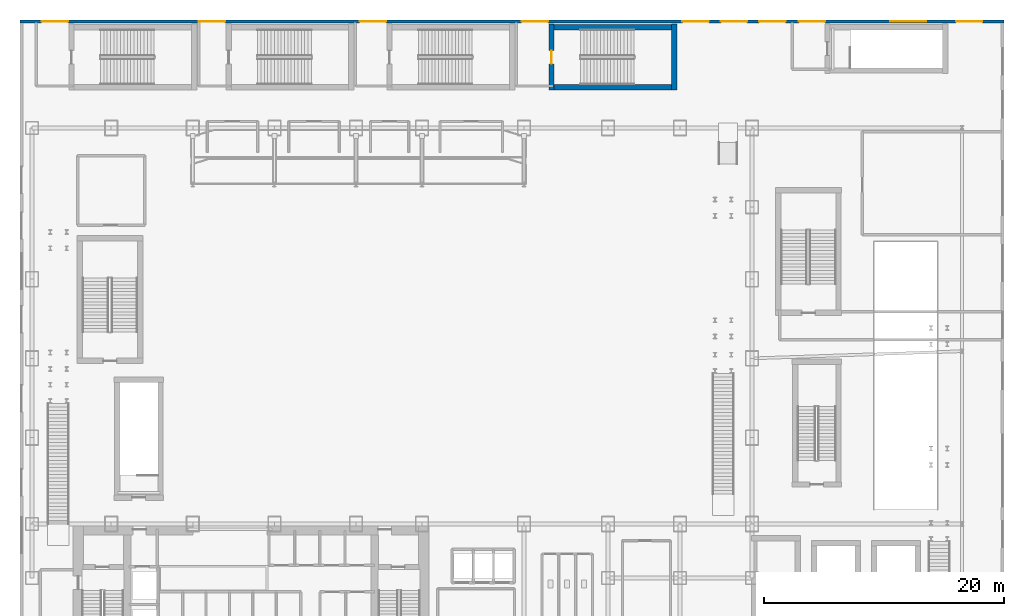
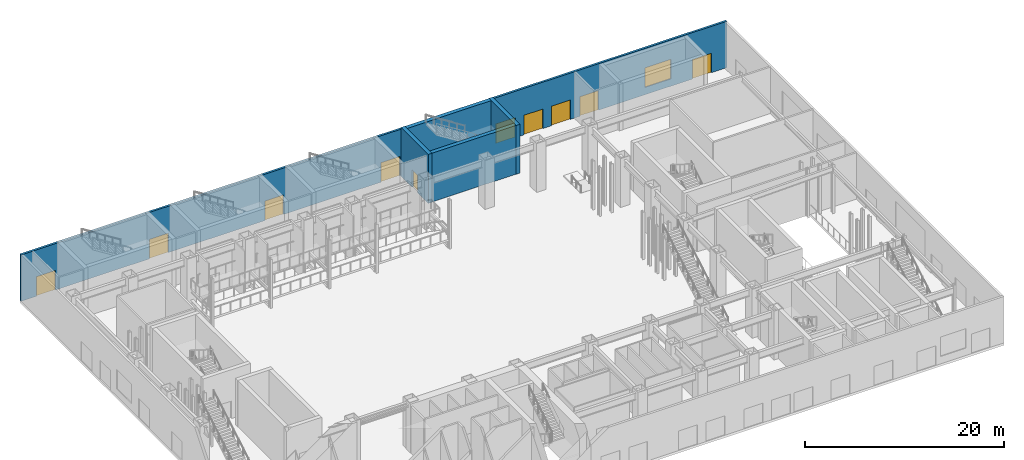
# One storey, part 14 of 25: 10 doors, 5 walls, 1 window, 11 openings.
"""IFC4 building model written with IfcOpenShell, lengths in metres."""

import ifcopenshell
import ifcopenshell.guid

model = None  # the IFC model being written
_history = None  # IfcOwnerHistory: only IFC2X3 demands one
_inside = {}  # id of a spatial element -> (the spatial element, [elements in it])
_under = {}  # id of a project, library or spatial element -> (it, [spatial elements below it])
_declared = {}  # id of a project -> (the project, [libraries it declares])
_typed = {}  # id of a type object -> (the type object, [elements of that type])
_made_of = {}  # id of a material, layer set ... -> (it, [elements and type objects made of it])


def new_model(schema):
    """Start an empty IFC model of exactly this schema.

    Asked for "IFC4X3", IfcOpenShell would pick the latest addendum, in which some entities
    have other attributes; the version numbers below select the first issue.
    IFC2X3 requires an IfcOwnerHistory on every rooted entity: one is made here for all.
    """
    global model, _history
    if schema == "IFC4X3":
        model = ifcopenshell.file(schema_version=(4, 3, 0, 0))
    else:
        model = ifcopenshell.file(schema=schema)
    _inside.clear()
    _under.clear()
    _declared.clear()
    _typed.clear()
    _made_of.clear()
    _history = None
    if model.schema == "IFC2X3":
        org = make("IfcOrganization", Name="unknown")
        user = make(
            "IfcPersonAndOrganization",
            ThePerson=make("IfcPerson", FamilyName="unknown"),
            TheOrganization=org,
        )
        app = make(
            "IfcApplication",
            ApplicationDeveloper=org,
            Version="unknown",
            ApplicationFullName="unknown",
            ApplicationIdentifier="unknown",
        )
        _history = make(
            "IfcOwnerHistory",
            OwningUser=user,
            OwningApplication=app,
            ChangeAction="ADDED",
            CreationDate=0,
        )
    return model


def make(cls, **values):
    """One entity of the class cls with the attributes given. An attribute that is None is left unset."""
    return model.create_entity(
        cls, **{name: value for name, value in values.items() if value is not None}
    )


def rooted(cls, **values):
    """An entity with a GlobalId (a new one), such as an element, a storey or a relation."""
    return make(cls, GlobalId=ifcopenshell.guid.new(), OwnerHistory=_history, **values)


def si_unit(unit_type, name, prefix=None):
    """IfcSIUnit, for example si_unit("LENGTHUNIT", "METRE", prefix="MILLI")."""
    return make("IfcSIUnit", UnitType=unit_type, Prefix=prefix, Name=name)


def derived_unit(unit_type, elements):
    """IfcDerivedUnit: a product of units, each with its exponent."""
    return make(
        "IfcDerivedUnit",
        Elements=[
            make("IfcDerivedUnitElement", Unit=unit, Exponent=power)
            for unit, power in elements
        ],
        UnitType=unit_type,
    )


def assignment(units):
    """IfcUnitAssignment: the units of a project."""
    return None if units is None else make("IfcUnitAssignment", Units=units)


def point(xyz):
    """IfcCartesianPoint."""
    return None if xyz is None else make("IfcCartesianPoint", Coordinates=xyz)


def direction(xyz):
    """IfcDirection."""
    return None if xyz is None else make("IfcDirection", DirectionRatios=xyz)


def frame(location, z_axis=None, x_axis=None):
    """IfcAxis2Placement3D, a coordinate frame: its origin and axes. An axis left out is left unset."""
    return make(
        "IfcAxis2Placement3D",
        Location=point(location),
        Axis=direction(z_axis),
        RefDirection=direction(x_axis),
    )


def frame_2d(location, x_axis=None):
    """IfcAxis2Placement2D, a coordinate frame in the plane: its origin and x axis."""
    return make(
        "IfcAxis2Placement2D", Location=point(location), RefDirection=direction(x_axis)
    )


def origin():
    """The frame at (0, 0, 0) with its axes left unset."""
    return frame((0.0, 0.0, 0.0))


def place(relative_to, where):
    """IfcLocalPlacement: puts the frame where relative to a parent placement (None: the world)."""
    return make(
        "IfcLocalPlacement", PlacementRelTo=relative_to, RelativePlacement=where
    )


def context(
    kind, dimensions, precision=None, world=None, true_north=None, identifier=None
):
    """IfcGeometricRepresentationContext, for example the 3D "Model" context."""
    return make(
        "IfcGeometricRepresentationContext",
        ContextIdentifier=identifier,
        ContextType=kind,
        CoordinateSpaceDimension=dimensions,
        Precision=precision,
        WorldCoordinateSystem=world,
        TrueNorth=true_north,
    )


def subcontext(parent, identifier, kind, view, scale=None):
    """IfcGeometricRepresentationSubContext, for example "Body" below "Model"."""
    return make(
        "IfcGeometricRepresentationSubContext",
        ContextIdentifier=identifier,
        ContextType=kind,
        ParentContext=parent,
        TargetScale=scale,
        TargetView=view,
    )


def project(units=None, contexts=None):
    """IfcProject with its units and contexts."""
    return rooted(
        "IfcProject",
        Name="project",
        RepresentationContexts=contexts,
        UnitsInContext=assignment(units),
    )


def spatial(cls, under=None, at=None, **own):
    """A site, building, storey or space (cls), placed at a placement, below another one or the project."""
    s = rooted(cls, ObjectPlacement=at, **own)
    if under is not None:
        _under.setdefault(under.id(), (under, []))[1].append(s)
    return s


def profile(cls, at=None, kind="AREA", **sizes):
    """A parametric profile (cls). Its sizes go by their IFC names, for example OverallWidth=200.0."""
    return make(cls, ProfileType=kind, Position=at, **sizes)


def rectangle(**sizes):
    """IfcRectangleProfileDef."""
    return profile("IfcRectangleProfileDef", **sizes)


def extrude(swept, where, along, depth):
    """IfcExtrudedAreaSolid: the profile swept, set in the frame where, extruded along a direction by depth."""
    return make(
        "IfcExtrudedAreaSolid",
        SweptArea=swept,
        Position=where,
        ExtrudedDirection=direction(along),
        Depth=depth,
    )


def shape(context_of_items, identifier, shape_type, items):
    """IfcShapeRepresentation: the items that make up one representation, for example the "Body"."""
    return make(
        "IfcShapeRepresentation",
        ContextOfItems=context_of_items,
        RepresentationIdentifier=identifier,
        RepresentationType=shape_type,
        Items=items,
    )


def source(mapping_origin, context_of_items, identifier, shape_type, items):
    """IfcRepresentationMap: a shape defined once, which mapped items show again and again."""
    return make(
        "IfcRepresentationMap",
        MappingOrigin=mapping_origin,
        MappedRepresentation=shape(context_of_items, identifier, shape_type, items),
    )


def transform(
    local_origin,
    x_axis=None,
    y_axis=None,
    z_axis=None,
    scale=None,
    scale2=None,
    scale3=None,
    uniform=True,
):
    """IfcCartesianTransformationOperator3D, or its non-uniform kind. x_axis, y_axis, z_axis: its Axis1, 2, 3."""
    if uniform:
        return make(
            "IfcCartesianTransformationOperator3D",
            Axis1=direction(x_axis),
            Axis2=direction(y_axis),
            LocalOrigin=point(local_origin),
            Scale=scale,
            Axis3=direction(z_axis),
        )
    return make(
        "IfcCartesianTransformationOperator3DnonUniform",
        Axis1=direction(x_axis),
        Axis2=direction(y_axis),
        LocalOrigin=point(local_origin),
        Scale=scale,
        Axis3=direction(z_axis),
        Scale2=scale2,
        Scale3=scale3,
    )


def mapped(mapping_source, mapping_target):
    """IfcMappedItem: shows the shape of a source again, moved by a transform."""
    return make(
        "IfcMappedItem", MappingSource=mapping_source, MappingTarget=mapping_target
    )


def material(Name=None, Category=None):
    """IfcMaterial."""
    return make("IfcMaterial", Name=Name, Category=Category)


def layer(
    of_material, thickness, ventilated=None, Name=None, Category=None, Priority=None
):
    """IfcMaterialLayer: one layer of a wall or slab, of a material (None: an air gap)."""
    return make(
        "IfcMaterialLayer",
        Material=of_material,
        LayerThickness=thickness,
        IsVentilated=ventilated,
        Name=Name,
        Category=Category,
        Priority=Priority,
    )


def layer_set(layers, Name=None):
    """IfcMaterialLayerSet."""
    return make("IfcMaterialLayerSet", MaterialLayers=layers, LayerSetName=Name)


def made_of(thing, what):
    """Note that an element or type object is made of a material, layer set ...; save() writes the relation."""
    if what is not None:
        _made_of.setdefault(what.id(), (what, []))[1].append(thing)
    return thing


def type_object(cls, material=None, **own):
    """A type object (cls), such as IfcWallType, which elements share."""
    return made_of(rooted(cls, **own), material)


def element(
    cls,
    number,
    at=None,
    inside=None,
    cuts=None,
    type_object=None,
    material=None,
    context=None,
    identifier="Body",
    shape_type=None,
    held_by="IfcProductDefinitionShape",
    body=None,
    shapes=None,
    **own,
):
    """One element of the class cls, such as IfcWall. Its Tag is "e" and its number.

    at: its placement. inside: the storey or other place that contains it. cuts: it is an
    opening in that element (IfcRelVoidsElement). A single representation is given by context,
    identifier, shape_type and body (its items); several are given by shapes. held_by: the class
    of the entity that holds the representations. save() writes the other relations.
    """
    e = rooted(cls, Tag="e%d" % number, ObjectPlacement=at, **own)
    if body is not None:
        shapes = [shape(context, identifier, shape_type, body)]
    if shapes is not None:
        e.Representation = make(held_by, Representations=shapes)
    if inside is not None:
        _inside.setdefault(inside.id(), (inside, []))[1].append(e)
    if cuts is not None:
        rooted(
            "IfcRelVoidsElement", RelatingBuildingElement=cuts, RelatedOpeningElement=e
        )
    if type_object is not None:
        _typed.setdefault(type_object.id(), (type_object, []))[1].append(e)
    return made_of(e, material)


def fill(opening, filler):
    """IfcRelFillsElement: the door or window that sits in an opening."""
    return rooted(
        "IfcRelFillsElement",
        RelatingOpeningElement=opening,
        RelatedBuildingElement=filler,
    )


def aggregate(whole, parts):
    """IfcRelAggregates: a whole, such as a stair, and the parts it consists of."""
    return rooted("IfcRelAggregates", RelatingObject=whole, RelatedObjects=parts)


def save(model, path):
    """Write the relations noted so far, then the file.

    IfcRelAggregates (storeys below a building ...), IfcRelContainedInSpatialStructure (elements
    in a storey), IfcRelDefinesByType, IfcRelAssociatesMaterial and IfcRelDeclares: one each for
    every whole, place, type object, material and project.
    """
    for whole, parts in _under.values():
        aggregate(whole, parts)
    for where, things in _inside.values():
        rooted(
            "IfcRelContainedInSpatialStructure",
            RelatedElements=things,
            RelatingStructure=where,
        )
    for kind, things in _typed.values():
        rooted("IfcRelDefinesByType", RelatedObjects=things, RelatingType=kind)
    for what, things in _made_of.values():
        rooted("IfcRelAssociatesMaterial", RelatedObjects=things, RelatingMaterial=what)
    for by, libraries in _declared.values():
        rooted("IfcRelDeclares", RelatingContext=by, RelatedDefinitions=libraries)
    model.write(path)


model = new_model("IFC4")

# Units and contexts
model_context = context("Model", 3, precision=1e-05, world=origin(), true_north=direction((0.0, 1.0)))
body_context = subcontext(model_context, "Body", "Model", "MODEL_VIEW")
ifc_project = project(units=[si_unit("LENGTHUNIT", "METRE"), si_unit("AREAUNIT", "SQUARE_METRE"), si_unit("VOLUMEUNIT", "CUBIC_METRE"), si_unit("PLANEANGLEUNIT", "RADIAN"), si_unit("MASSUNIT", "GRAM", prefix="KILO"), derived_unit("THERMALTRANSMITTANCEUNIT", [(si_unit("POWERUNIT", "WATT"), 1), (si_unit("LENGTHUNIT", "METRE"), -2), (si_unit("THERMODYNAMICTEMPERATUREUNIT", "KELVIN"), -1)])], contexts=[model_context])

# Site, building, storey
site_placement = place(None, origin())
site = spatial("IfcSite", under=ifc_project, at=site_placement, CompositionType="ELEMENT")
building_placement = place(site_placement, origin())
building = spatial("IfcBuilding", under=site, at=building_placement, Name="Skarnbrae Concourse Arena and Tower", CompositionType="ELEMENT")
storey_placement = place(building_placement, origin())
storey = spatial("IfcBuildingStorey", under=building, at=storey_placement, Name="L00", CompositionType="ELEMENT", Elevation=0.0)

# Wall, openings, doors, window
ifc_material_1 = material(Name="Precast concrete 40 MPa (C40/50)", Category="concrete")
ifc_layer_1 = layer(ifc_material_1, 0.25)
ifc_layer_set_1 = layer_set([ifc_layer_1], Name="Precast concrete 40 MPa (C40/50)")
wall_type_1 = type_object("IfcWallType", Name="WALL-EXT-SPANDREL-250", PredefinedType="STANDARD", material=ifc_layer_set_1)
shared_shape_1 = source(origin(), body_context, "Body", "SweptSolid", [
    extrude(rectangle(XDim=82.0, YDim=0.25, at=frame_2d((41.0, 0.0))), origin(), (0.0, 0.0, 1.0), 5.699951171875),
])
wall_1_placement = place(storey_placement, frame((82.0, 55.875, 0.0), z_axis=(0.0, 0.0, 1.0), x_axis=(-1.0, 0.0, 0.0)))
wall_1 = element("IfcWall", 1, at=wall_1_placement, inside=storey, type_object=wall_type_1, Name="L00 Podium exterior precast wall N", PredefinedType="STANDARD", context=body_context, shape_type="MappedRepresentation", body=[
    mapped(shared_shape_1, transform((0.0, 0.0, 0.0))),
])
opening_1_placement = place(wall_1_placement, frame((1.800048828125, 0.0, 0.0)))
opening_1 = element("IfcOpeningElement", 2, at=opening_1_placement, cuts=wall_1, Name="Opening DT-EX", PredefinedType="OPENING", context=body_context, shape_type="SweptSolid", body=[
    extrude(rectangle(XDim=2.199951171875, YDim=2.39990234375, at=frame_2d((1.10009765625, 1.199951171875))), frame((0.0, 0.135009765625, 0.0), z_axis=(0.0, -1.0, 0.0), x_axis=(1.0, 0.0, 0.0)), (0.0, 0.0, 1.0), 0.27001953125),
])
opening_2_placement = place(wall_1_placement, frame((14.89990234375, 0.0, 0.0)))
opening_2 = element("IfcOpeningElement", 3, at=opening_2_placement, cuts=wall_1, Name="Opening DT-EX", PredefinedType="OPENING", context=body_context, shape_type="SweptSolid", body=[
    extrude(rectangle(XDim=2.199951171875, YDim=2.39990234375, at=frame_2d((1.10009765625, 1.199951171875))), frame((0.0, 0.135009765625, 0.0), z_axis=(0.0, -1.0, 0.0), x_axis=(1.0, 0.0, 0.0)), (0.0, 0.0, 1.0), 0.27001953125),
])
opening_3_placement = place(wall_1_placement, frame((18.199951171875, 0.0, 0.0)))
opening_3 = element("IfcOpeningElement", 4, at=opening_3_placement, cuts=wall_1, Name="Opening DT-EX", PredefinedType="OPENING", context=body_context, shape_type="SweptSolid", body=[
    extrude(rectangle(XDim=2.199951171875, YDim=2.39990234375, at=frame_2d((1.10009765625, 1.199951171875))), frame((0.0, 0.135009765625, 0.0), z_axis=(0.0, -1.0, 0.0), x_axis=(1.0, 0.0, 0.0)), (0.0, 0.0, 1.0), 0.27001953125),
])
opening_4_placement = place(wall_1_placement, frame((21.39990234375, 0.0, 0.0)))
opening_4 = element("IfcOpeningElement", 5, at=opening_4_placement, cuts=wall_1, Name="Opening DT-EX", PredefinedType="OPENING", context=body_context, shape_type="SweptSolid", body=[
    extrude(rectangle(XDim=2.199951171875, YDim=2.39990234375, at=frame_2d((1.10009765625, 1.199951171875))), frame((0.0, 0.135009765625, 0.0), z_axis=(0.0, -1.0, 0.0), x_axis=(1.0, 0.0, 0.0)), (0.0, 0.0, 1.0), 0.27001953125),
])
opening_5_placement = place(wall_1_placement, frame((24.60009765625, 0.0, 0.0)))
opening_5 = element("IfcOpeningElement", 6, at=opening_5_placement, cuts=wall_1, Name="Opening DT-EX", PredefinedType="OPENING", context=body_context, shape_type="SweptSolid", body=[
    extrude(rectangle(XDim=2.199951171875, YDim=2.39990234375, at=frame_2d((1.10009765625, 1.199951171875))), frame((0.0, 0.135009765625, 0.0), z_axis=(0.0, -1.0, 0.0), x_axis=(1.0, 0.0, 0.0)), (0.0, 0.0, 1.0), 0.27001953125),
])
opening_6_placement = place(wall_1_placement, frame((38.0, 0.0, 0.0)))
opening_6 = element("IfcOpeningElement", 7, at=opening_6_placement, cuts=wall_1, Name="Opening DT-EX", PredefinedType="OPENING", context=body_context, shape_type="SweptSolid", body=[
    extrude(rectangle(XDim=2.199951171875, YDim=2.39990234375, at=frame_2d((1.10009765625, 1.199951171875))), frame((0.0, 0.135009765625, 0.0), z_axis=(0.0, -1.0, 0.0), x_axis=(1.0, 0.0, 0.0)), (0.0, 0.0, 1.0), 0.27001953125),
])
opening_7_placement = place(wall_1_placement, frame((51.5, 0.0, 0.0)))
opening_7 = element("IfcOpeningElement", 8, at=opening_7_placement, cuts=wall_1, Name="Opening DT-EX", PredefinedType="OPENING", context=body_context, shape_type="SweptSolid", body=[
    extrude(rectangle(XDim=2.199951171875, YDim=2.39990234375, at=frame_2d((1.10009765625, 1.199951171875))), frame((0.0, 0.135009765625, 0.0), z_axis=(0.0, -1.0, 0.0), x_axis=(1.0, 0.0, 0.0)), (0.0, 0.0, 1.0), 0.27001953125),
])
opening_8_placement = place(wall_1_placement, frame((64.89990234375, 0.0, 0.0)))
opening_8 = element("IfcOpeningElement", 9, at=opening_8_placement, cuts=wall_1, Name="Opening DT-EX", PredefinedType="OPENING", context=body_context, shape_type="SweptSolid", body=[
    extrude(rectangle(XDim=2.199951171875, YDim=2.39990234375, at=frame_2d((1.10009765625, 1.199951171875))), frame((0.0, 0.135009765625, 0.0), z_axis=(0.0, -1.0, 0.0), x_axis=(1.0, 0.0, 0.0)), (0.0, 0.0, 1.0), 0.27001953125),
])
opening_9_placement = place(wall_1_placement, frame((78.0, 0.0, 0.0)))
opening_9 = element("IfcOpeningElement", 10, at=opening_9_placement, cuts=wall_1, Name="Opening DT-EX", PredefinedType="OPENING", context=body_context, shape_type="SweptSolid", body=[
    extrude(rectangle(XDim=2.199951171875, YDim=2.39990234375, at=frame_2d((1.10009765625, 1.199951171875))), frame((0.0, 0.135009765625, 0.0), z_axis=(0.0, -1.0, 0.0), x_axis=(1.0, 0.0, 0.0)), (0.0, 0.0, 1.0), 0.27001953125),
])
opening_10_placement = place(wall_1_placement, frame((6.5, 0.0, 0.89990234375)))
opening_10 = element("IfcOpeningElement", 11, at=opening_10_placement, cuts=wall_1, Name="Opening WN-04", PredefinedType="OPENING", context=body_context, shape_type="SweptSolid", body=[
    extrude(rectangle(XDim=3.0, YDim=2.39990234375, at=frame_2d((1.5, 1.199951171875))), frame((0.0, 0.135009765625, 0.0), z_axis=(0.0, -1.0, 0.0), x_axis=(1.0, 0.0, 0.0)), (0.0, 0.0, 1.0), 0.27001953125),
])
ifc_material_2 = material(Name="Bronze anodised aluminium 6063-T6", Category="aluminium")
door_type_1 = type_object("IfcDoorType", Name="DOOR-EXIT-2200", OperationType="DOUBLE_DOOR_SINGLE_SWING", PredefinedType="DOOR", material=ifc_material_2)
shared_shape_2 = source(origin(), body_context, "Body", "SweptSolid", [
    extrude(rectangle(XDim=2.199951171875, YDim=2.39990234375, at=frame_2d((1.10009765625, 1.199951171875))), frame((0.0, 0.02490234375, 0.0), z_axis=(0.0, -1.0, 0.0), x_axis=(1.0, 0.0, 0.0)), (0.0, 0.0, 1.0), 0.050048828125),
])
door_1_placement = place(opening_1_placement, frame((2.199951171875, 0.0, 0.0), z_axis=(0.0, 0.0, 1.0), x_axis=(-1.0, 0.0, 0.0)))
door_1 = element("IfcDoor", 12, at=door_1_placement, inside=storey, type_object=door_type_1, Name="D-0001 Final Exit EX-01", OperationType="DOUBLE_DOOR_SINGLE_SWING", OverallHeight=2.39990234375, OverallWidth=2.199951171875, PredefinedType="DOOR", context=body_context, shape_type="MappedRepresentation", body=[
    mapped(shared_shape_2, transform((0.0, 0.0, 0.0))),
])
fill(opening_1, door_1)
door_2_placement = place(opening_2_placement, frame((2.199951171875, 0.0, 0.0), z_axis=(0.0, 0.0, 1.0), x_axis=(-1.0, 0.0, 0.0)))
door_2 = element("IfcDoor", 13, at=door_2_placement, inside=storey, type_object=door_type_1, Name="D-0002 Final Exit EX-02", OperationType="DOUBLE_DOOR_SINGLE_SWING", OverallHeight=2.39990234375, OverallWidth=2.199951171875, PredefinedType="DOOR", context=body_context, shape_type="MappedRepresentation", body=[
    mapped(shared_shape_2, transform((0.0, 0.0, 0.0))),
])
fill(opening_2, door_2)
door_3_placement = place(opening_3_placement, frame((2.199951171875, 0.0, 0.0), z_axis=(0.0, 0.0, 1.0), x_axis=(-1.0, 0.0, 0.0)))
door_3 = element("IfcDoor", 14, at=door_3_placement, inside=storey, type_object=door_type_1, Name="D-0003 Final Exit EX-03", OperationType="DOUBLE_DOOR_SINGLE_SWING", OverallHeight=2.39990234375, OverallWidth=2.199951171875, PredefinedType="DOOR", context=body_context, shape_type="MappedRepresentation", body=[
    mapped(shared_shape_2, transform((0.0, 0.0, 0.0))),
])
fill(opening_3, door_3)
door_4_placement = place(opening_4_placement, frame((2.199951171875, 0.0, 0.0), z_axis=(0.0, 0.0, 1.0), x_axis=(-1.0, 0.0, 0.0)))
door_4 = element("IfcDoor", 15, at=door_4_placement, inside=storey, type_object=door_type_1, Name="D-0004 Final Exit EX-04", OperationType="DOUBLE_DOOR_SINGLE_SWING", OverallHeight=2.39990234375, OverallWidth=2.199951171875, PredefinedType="DOOR", context=body_context, shape_type="MappedRepresentation", body=[
    mapped(shared_shape_2, transform((0.0, 0.0, 0.0))),
])
fill(opening_4, door_4)
door_5_placement = place(opening_5_placement, frame((2.199951171875, 0.0, 0.0), z_axis=(0.0, 0.0, 1.0), x_axis=(-1.0, 0.0, 0.0)))
door_5 = element("IfcDoor", 16, at=door_5_placement, inside=storey, type_object=door_type_1, Name="D-0005 Final Exit EX-05", OperationType="DOUBLE_DOOR_SINGLE_SWING", OverallHeight=2.39990234375, OverallWidth=2.199951171875, PredefinedType="DOOR", context=body_context, shape_type="MappedRepresentation", body=[
    mapped(shared_shape_2, transform((0.0, 0.0, 0.0))),
])
fill(opening_5, door_5)
door_6_placement = place(opening_6_placement, frame((2.199951171875, 0.0, 0.0), z_axis=(0.0, 0.0, 1.0), x_axis=(-1.0, 0.0, 0.0)))
door_6 = element("IfcDoor", 17, at=door_6_placement, inside=storey, type_object=door_type_1, Name="D-0006 Final Exit EX-06", OperationType="DOUBLE_DOOR_SINGLE_SWING", OverallHeight=2.39990234375, OverallWidth=2.199951171875, PredefinedType="DOOR", context=body_context, shape_type="MappedRepresentation", body=[
    mapped(shared_shape_2, transform((0.0, 0.0, 0.0))),
])
fill(opening_6, door_6)
door_7_placement = place(opening_7_placement, frame((2.199951171875, 0.0, 0.0), z_axis=(0.0, 0.0, 1.0), x_axis=(-1.0, 0.0, 0.0)))
door_7 = element("IfcDoor", 18, at=door_7_placement, inside=storey, type_object=door_type_1, Name="D-0007 Final Exit EX-07", OperationType="DOUBLE_DOOR_SINGLE_SWING", OverallHeight=2.39990234375, OverallWidth=2.199951171875, PredefinedType="DOOR", context=body_context, shape_type="MappedRepresentation", body=[
    mapped(shared_shape_2, transform((0.0, 0.0, 0.0))),
])
fill(opening_7, door_7)
door_8_placement = place(opening_8_placement, frame((2.199951171875, 0.0, 0.0), z_axis=(0.0, 0.0, 1.0), x_axis=(-1.0, 0.0, 0.0)))
door_8 = element("IfcDoor", 19, at=door_8_placement, inside=storey, type_object=door_type_1, Name="D-0008 Final Exit EX-08", OperationType="DOUBLE_DOOR_SINGLE_SWING", OverallHeight=2.39990234375, OverallWidth=2.199951171875, PredefinedType="DOOR", context=body_context, shape_type="MappedRepresentation", body=[
    mapped(shared_shape_2, transform((0.0, 0.0, 0.0))),
])
fill(opening_8, door_8)
door_9_placement = place(opening_9_placement, frame((2.199951171875, 0.0, 0.0), z_axis=(0.0, 0.0, 1.0), x_axis=(-1.0, 0.0, 0.0)))
door_9 = element("IfcDoor", 20, at=door_9_placement, inside=storey, type_object=door_type_1, Name="D-0009 Final Exit EX-09", OperationType="DOUBLE_DOOR_SINGLE_SWING", OverallHeight=2.39990234375, OverallWidth=2.199951171875, PredefinedType="DOOR", context=body_context, shape_type="MappedRepresentation", body=[
    mapped(shared_shape_2, transform((0.0, 0.0, 0.0))),
])
fill(opening_9, door_9)
ifc_material_3 = material(Name="Low-E triple insulating glass", Category="glass")
window_type = type_object("IfcWindowType", Name="WIN-EXT-3000X2400", PartitioningType="SINGLE_PANEL", PredefinedType="WINDOW", material=ifc_material_3)
shared_shape_3 = source(origin(), body_context, "Body", "SweptSolid", [
    extrude(rectangle(XDim=3.0, YDim=2.39990234375, at=frame_2d((1.5, 1.199951171875))), frame((0.0, 0.030029296875, 0.0), z_axis=(0.0, -1.0, 0.0), x_axis=(1.0, 0.0, 0.0)), (0.0, 0.0, 1.0), 0.06005859375),
])
window_placement = place(opening_10_placement, origin())
window = element("IfcWindow", 21, at=window_placement, inside=storey, type_object=window_type, Name="L00 Concourse clerestory window N02", OverallHeight=2.39990234375, OverallWidth=3.0, PartitioningType="SINGLE_PANEL", PredefinedType="WINDOW", context=body_context, shape_type="MappedRepresentation", body=[
    mapped(shared_shape_3, transform((0.0, 0.0, 0.0))),
])
fill(opening_10, window)

# Walls
ifc_material_4 = material(Name="Concrete 50 MPa (C50/60)", Category="concrete")
ifc_layer_2 = layer(ifc_material_4, 0.449951171875)
ifc_layer_set_2 = layer_set([ifc_layer_2], Name="Concrete 50 MPa (C50/60)")
wall_type_2 = type_object("IfcWallType", Name="WALL-CORE-450-C50", PredefinedType="SHEAR", material=ifc_layer_set_2)
shared_shape_4 = source(origin(), body_context, "Body", "SweptSolid", [
    extrude(rectangle(XDim=9.800048828125, YDim=0.449951171875, at=frame_2d((4.89990234375, 0.0))), origin(), (0.0, 0.0, 1.0), 6.0),
])
for number, where, z_axis, x_axis, name in (
    (22, (44.5, 50.39501953125, 0.0), (0.0, 0.0, 1.0), (1.0, 0.0, 0.0), "L00 Protected stair shaft wall ST-A8-S"),
    (23, (44.5, 55.405029296875, 0.0), (0.0, 0.0, 1.0), (1.0, 0.0, 0.0), "L00 Protected stair shaft wall ST-A8-N"),
):
    element("IfcWall", number, at=place(storey_placement, frame(where, z_axis=z_axis, x_axis=x_axis)), inside=storey, type_object=wall_type_2, Name=name, PredefinedType="SHEAR", context=body_context, shape_type="MappedRepresentation", body=[
        mapped(shared_shape_4, transform((0.0, 0.0, 0.0))),
    ])

# Wall, opening, door
shared_shape_5 = source(origin(), body_context, "Body", "SweptSolid", [
    extrude(rectangle(XDim=5.5, YDim=0.449951171875, at=frame_2d((2.75, 0.0))), origin(), (0.0, 0.0, 1.0), 6.0),
])
wall_2_placement = place(storey_placement, frame((44.294921875, 50.14990234375, 0.0), z_axis=(0.0, 0.0, 1.0), x_axis=(0.0, 1.0, 0.0)))
wall_2 = element("IfcWall", 24, at=wall_2_placement, inside=storey, type_object=wall_type_2, Name="L00 Protected stair shaft wall ST-A8-W", PredefinedType="SHEAR", context=body_context, shape_type="MappedRepresentation", body=[
    mapped(shared_shape_5, transform((0.0, 0.0, 0.0))),
])
opening_11_placement = place(wall_2_placement, frame((2.199951171875, 0.0, 0.0)))
opening_11 = element("IfcOpeningElement", 25, at=opening_11_placement, cuts=wall_2, Name="Opening DT-03", PredefinedType="OPENING", context=body_context, shape_type="SweptSolid", body=[
    extrude(rectangle(XDim=1.10009765625, YDim=2.14990234375, at=frame_2d((0.550048828125, 1.074951171875))), frame((0.0, 0.23486328125, 0.0), z_axis=(0.0, -1.0, 0.0), x_axis=(1.0, 0.0, 0.0)), (0.0, 0.0, 1.0), 0.469970703125),
])
ifc_material_5 = material(Name="Steel CSA G40.21 350W", Category="steel")
door_type_2 = type_object("IfcDoorType", Name="DOOR-FIRE-1100-90M", OperationType="NOTDEFINED", PredefinedType="DOOR", material=ifc_material_5)
shared_shape_6 = source(origin(), body_context, "Body", "SweptSolid", [
    extrude(rectangle(XDim=1.10009765625, YDim=2.14990234375, at=frame_2d((0.550048828125, 1.074951171875))), frame((0.0, 0.02490234375, 0.0), z_axis=(0.0, -1.0, 0.0), x_axis=(1.0, 0.0, 0.0)), (0.0, 0.0, 1.0), 0.050048828125),
])
door_10_placement = place(opening_11_placement, origin())
door_10 = element("IfcDoor", 26, at=door_10_placement, inside=storey, type_object=door_type_2, Name="D-0194 Exit Stair ST-A8 Door", OperationType="SINGLE_SWING_LEFT", OverallHeight=2.14990234375, OverallWidth=1.10009765625, PredefinedType="DOOR", context=body_context, shape_type="MappedRepresentation", body=[
    mapped(shared_shape_6, transform((0.0, 0.0, 0.0))),
])
fill(opening_11, door_10)

# Wall
wall_3_placement = place(storey_placement, frame((54.5048828125, 50.14990234375, 0.0), z_axis=(0.0, 0.0, 1.0), x_axis=(0.0, 1.0, 0.0)))
element("IfcWall", 27, at=wall_3_placement, inside=storey, type_object=wall_type_2, Name="L00 Protected stair shaft wall ST-A8-E", PredefinedType="SHEAR", context=body_context, shape_type="MappedRepresentation", body=[
    mapped(shared_shape_5, transform((0.0, 0.0, 0.0))),
])

save(model, "model.ifc")
